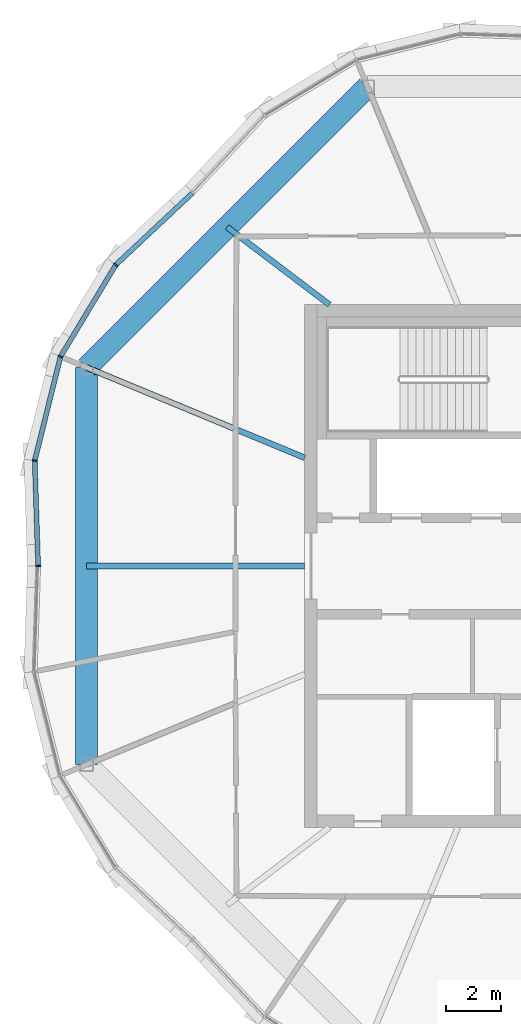
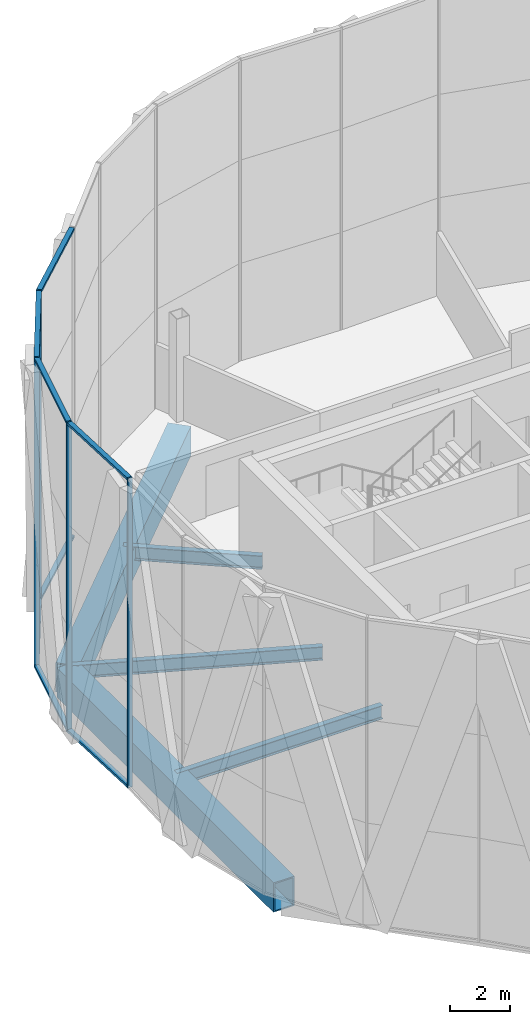
# One storey, part 5 of 23: 12 members, 5 beams, 1 element without a shape of its own.
"""IFC4 building model written with IfcOpenShell, lengths in metres."""

from ifc_helpers import new_model, si_unit, direction, frame, origin, origin_2d, place, context, subcontext, project, spatial, rectangle, hollow_rectangle, i_section, extrude, material, material_profile, profile_set, type_object, element, aggregate, save


model = new_model("IFC4")

# Units and contexts
model_context = context("Model", 3, precision=1e-05, world=origin(), true_north=direction((0.0, 1.0)))
body_context = subcontext(model_context, "Body", "Model", "MODEL_VIEW")
ifc_project = project(units=[si_unit("LENGTHUNIT", "METRE"), si_unit("AREAUNIT", "SQUARE_METRE"), si_unit("VOLUMEUNIT", "CUBIC_METRE"), si_unit("PLANEANGLEUNIT", "RADIAN"), si_unit("MASSUNIT", "GRAM", prefix="KILO")], contexts=[model_context])

# Site, building, storey
site_placement = place(None, origin())
site = spatial("IfcSite", under=ifc_project, at=site_placement, CompositionType="ELEMENT")
building_placement = place(site_placement, origin())
building = spatial("IfcBuilding", under=site, at=building_placement, Name="Ogive Gate Towers", CompositionType="ELEMENT")
storey_placement = place(building_placement, frame((0.0, 0.0, 256.199951171875)))
storey = spatial("IfcBuildingStorey", under=building, at=storey_placement, Name="L60", CompositionType="ELEMENT", Elevation=256.199951171875)

# Beams
ifc_material_1 = material(Name="Steel SM460", Category="steel")
ifc_material_profile_1 = material_profile(ifc_material_1, hollow_rectangle(XDim=0.800048828125, YDim=1.199951171875, WallThickness=0.050048828125, at=origin_2d()), Name="BX 1200x800x50")
ifc_profile_set_1 = profile_set([ifc_material_profile_1], Name="Steel SM460")
beam_type_1 = type_object("IfcBeamType", Name="Edge girder BX 1200x800x50", PredefinedType="BEAM", material=ifc_profile_set_1)
beam_1_placement = place(storey_placement, frame((-43.217529296875, 17.42431640625, -0.89990234375), z_axis=(-0.707106781187, -0.707106781187, 0.0), x_axis=(0.707106781187, -0.707106781187, 0.0)))
element("IfcBeam", 1, at=beam_1_placement, inside=storey, type_object=beam_type_1, Name="T1/L60/SBM023", PredefinedType="BEAM", context=body_context, shape_type="SweptSolid", body=[
    extrude(hollow_rectangle(XDim=0.800048828125, YDim=1.199951171875, WallThickness=0.050048828125, at=origin_2d()), origin(), (0.0, 0.0, 1.0), 14.4345703125),
])
beam_2_placement = place(storey_placement, frame((-53.42431640625, 7.217529296875, -0.89990234375), z_axis=(0.0, -1.0, 0.0), x_axis=(1.0, 0.0, 0.0)))
element("IfcBeam", 2, at=beam_2_placement, inside=storey, type_object=beam_type_1, Name="T1/L60/SBM024", PredefinedType="BEAM", context=body_context, shape_type="SweptSolid", body=[
    extrude(hollow_rectangle(XDim=0.800048828125, YDim=1.199951171875, WallThickness=0.050048828125, at=origin_2d()), origin(), (0.0, 0.0, 1.0), 14.43505859375),
])
ifc_material_2 = material(Name="Steel SM355", Category="steel")
ifc_material_profile_2 = material_profile(ifc_material_2, i_section(OverallWidth=0.2099609375, OverallDepth=0.550048828125, WebThickness=0.010986328125, FlangeThickness=0.01708984375, FilletRadius=0.02392578125, at=origin_2d()), Name="IPE 550")
ifc_profile_set_2 = profile_set([ifc_material_profile_2], Name="Steel SM355")
beam_type_2 = type_object("IfcBeamType", Name="Radial floor beam IPE 550", PredefinedType="BEAM", material=ifc_profile_set_2)
beam_3_placement = place(storey_placement, frame((-44.60009765625, 9.5, -0.574951171875), z_axis=(-0.796877025219, 0.604141545235, 0.0), x_axis=(-0.604141545235, -0.796877025219, 0.0)))
element("IfcBeam", 3, at=beam_3_placement, inside=storey, type_object=beam_type_2, Name="T1/L60/SBM014", PredefinedType="BEAM", context=body_context, shape_type="SweptSolid", body=[
    extrude(i_section(OverallWidth=0.2099609375, OverallDepth=0.550048828125, WebThickness=0.010986328125, FlangeThickness=0.01708984375, FilletRadius=0.02392578125, at=origin_2d()), origin(), (0.0, 0.0, 1.0), 4.669189453125),
])
beam_4_placement = place(storey_placement, frame((-45.5, 3.93505859375, -0.574951171875), z_axis=(-0.923874941579, 0.382694515667, 0.0), x_axis=(-0.382694515667, -0.923874941579, 0.0)))
element("IfcBeam", 4, at=beam_4_placement, inside=storey, type_object=beam_type_2, Name="T1/L60/SBM015", PredefinedType="BEAM", context=body_context, shape_type="SweptSolid", body=[
    extrude(i_section(OverallWidth=0.2099609375, OverallDepth=0.550048828125, WebThickness=0.010986328125, FlangeThickness=0.01708984375, FilletRadius=0.02392578125, at=origin_2d()), origin(), (0.0, 0.0, 1.0), 8.5771484375),
])
beam_5_placement = place(storey_placement, frame((-45.5, 0.0, -0.574951171875), z_axis=(-1.0, 0.0, 0.0), x_axis=(0.0, -1.0, 0.0)))
element("IfcBeam", 5, at=beam_5_placement, inside=storey, type_object=beam_type_2, Name="T1/L60/SBM016", PredefinedType="BEAM", context=body_context, shape_type="SweptSolid", body=[
    extrude(i_section(OverallWidth=0.2099609375, OverallDepth=0.550048828125, WebThickness=0.010986328125, FlangeThickness=0.01708984375, FilletRadius=0.02392578125, at=origin_2d()), origin(), (0.0, 0.0, 1.0), 7.92431640625),
])

# Curtain wall, members
ifc_material_3 = material(Name="Pale metal aluminium", Category="aluminium")
curtain_wall_type = type_object("IfcCurtainWallType", Name="Tower unitised wall, high zone", PredefinedType="NOTDEFINED", material=ifc_material_3)
curtain_wall_placement = place(storey_placement, origin())
curtain_wall = element("IfcCurtainWall", 6, at=curtain_wall_placement, inside=storey, type_object=curtain_wall_type, Name="CW2 T1 ECW04", PredefinedType="NOTDEFINED")
ifc_material_profile_3 = material_profile(ifc_material_3, rectangle(XDim=0.179931640625, YDim=0.06005859375, at=origin_2d()), Name="60 x 180 aluminium box")
ifc_profile_set_3 = profile_set([ifc_material_profile_3], Name="Pale metal aluminium")
member_type_1 = type_object("IfcMemberType", Name="Tower unitised wall, high zone mullion 60 x 180", PredefinedType="MULLION", material=ifc_profile_set_3)
member_1_placement = place(storey_placement, frame((-52.367431640625, 10.9462890625, -0.300048828125), z_axis=(0.0, 0.0, 1.0), x_axis=(-0.777574146191, 0.628791258825, 0.0)))
member_1 = element("IfcMember", 7, at=member_1_placement, type_object=member_type_1, Name="CW2 mullion", PredefinedType="MULLION", context=body_context, shape_type="SweptSolid", body=[
    extrude(rectangle(XDim=0.179931640625, YDim=0.06005859375, at=origin_2d()), origin(), (0.0, 0.0, 1.0), 12.60009765625),
])
member_2_placement = place(storey_placement, frame((-54.376953125, 7.612060546875, -0.300048828125), z_axis=(0.0, 0.0, 1.0), x_axis=(-0.923879532511, 0.382683432365, 0.0)))
member_2 = element("IfcMember", 8, at=member_2_placement, type_object=member_type_1, Name="CW2 mullion", PredefinedType="MULLION", context=body_context, shape_type="SweptSolid", body=[
    extrude(rectangle(XDim=0.179931640625, YDim=0.06005859375, at=origin_2d()), origin(), (0.0, 0.0, 1.0), 12.60009765625),
])
member_3_placement = place(storey_placement, frame((-55.31396484375, 3.833251953125, -0.300048828125), z_axis=(0.0, 0.0, 1.0), x_axis=(-0.994450514713, 0.105205388581, 0.0)))
member_3 = element("IfcMember", 9, at=member_3_placement, type_object=member_type_1, Name="CW2 mullion", PredefinedType="MULLION", context=body_context, shape_type="SweptSolid", body=[
    extrude(rectangle(XDim=0.179931640625, YDim=0.06005859375, at=origin_2d()), origin(), (0.0, 0.0, 1.0), 12.60009765625),
])
member_4_placement = place(storey_placement, frame((-55.190185546875, 0.000244140625, -0.300048828125), z_axis=(0.0, 0.0, 1.0), x_axis=(-0.999479895007, -0.032248092615, 0.0)))
member_4 = element("IfcMember", 10, at=member_4_placement, type_object=member_type_1, Name="CW2 mullion", PredefinedType="MULLION", context=body_context, shape_type="SweptSolid", body=[
    extrude(rectangle(XDim=0.179931640625, YDim=0.06005859375, at=origin_2d()), origin(), (0.0, 0.0, 1.0), 12.60009765625),
])
ifc_material_profile_4 = material_profile(ifc_material_3, rectangle(XDim=0.179931640625, YDim=0.10009765625, at=origin_2d()), Name="100 x 180 aluminium box")
ifc_profile_set_4 = profile_set([ifc_material_profile_4], Name="Pale metal aluminium")
member_type_2 = type_object("IfcMemberType", Name="Tower unitised wall, high zone transom 100 x 180", PredefinedType="USERDEFINED", material=ifc_profile_set_4)
member_5_placement = place(storey_placement, frame((-49.591552734375, 13.548583984375, 12.25), z_axis=(-0.729559380509, -0.683917473319, 0.0), x_axis=(0.683917473319, -0.729559380509, 0.0)))
member_5 = element("IfcMember", 11, at=member_5_placement, type_object=member_type_2, Name="CW2 transom", ObjectType="TRANSOM", PredefinedType="USERDEFINED", context=body_context, shape_type="SweptSolid", body=[
    extrude(rectangle(XDim=0.179931640625, YDim=0.10009765625, at=origin_2d()), origin(), (0.0, 0.0, 1.0), 3.7763671875),
])
member_6_placement = place(storey_placement, frame((-49.591552734375, 13.548583984375, -0.25), z_axis=(-0.729559380509, -0.683917473319, 0.0), x_axis=(0.683917473319, -0.729559380509, 0.0)))
member_6 = element("IfcMember", 12, at=member_6_placement, type_object=member_type_2, Name="CW2 transom", ObjectType="TRANSOM", PredefinedType="USERDEFINED", context=body_context, shape_type="SweptSolid", body=[
    extrude(rectangle(XDim=0.179931640625, YDim=0.10009765625, at=origin_2d()), origin(), (0.0, 0.0, 1.0), 3.7763671875),
])
member_7_placement = place(storey_placement, frame((-52.382080078125, 10.921875, 12.25), z_axis=(-0.516188713906, -0.856474875076, 0.0), x_axis=(0.856474875076, -0.516188713906, 0.0)))
member_7 = element("IfcMember", 13, at=member_7_placement, type_object=member_type_2, Name="CW2 transom", ObjectType="TRANSOM", PredefinedType="USERDEFINED", context=body_context, shape_type="SweptSolid", body=[
    extrude(rectangle(XDim=0.179931640625, YDim=0.10009765625, at=origin_2d()), origin(), (0.0, 0.0, 1.0), 3.836181640625),
])
member_8_placement = place(storey_placement, frame((-52.382080078125, 10.921875, -0.25), z_axis=(-0.516188713906, -0.856474875076, 0.0), x_axis=(0.856474875076, -0.516188713906, 0.0)))
member_8 = element("IfcMember", 14, at=member_8_placement, type_object=member_type_2, Name="CW2 transom", ObjectType="TRANSOM", PredefinedType="USERDEFINED", context=body_context, shape_type="SweptSolid", body=[
    extrude(rectangle(XDim=0.179931640625, YDim=0.10009765625, at=origin_2d()), origin(), (0.0, 0.0, 1.0), 3.836181640625),
])
member_9_placement = place(storey_placement, frame((-54.3837890625, 7.584228515625, 12.25), z_axis=(-0.240648228376, -0.97061239956, 0.0), x_axis=(0.97061239956, -0.240648228376, 0.0)))
member_9 = element("IfcMember", 15, at=member_9_placement, type_object=member_type_2, Name="CW2 transom", ObjectType="TRANSOM", PredefinedType="USERDEFINED", context=body_context, shape_type="SweptSolid", body=[
    extrude(rectangle(XDim=0.179931640625, YDim=0.10009765625, at=origin_2d()), origin(), (0.0, 0.0, 1.0), 3.8359375),
])
member_10_placement = place(storey_placement, frame((-54.3837890625, 7.584228515625, -0.25), z_axis=(-0.240648228376, -0.97061239956, 0.0), x_axis=(0.97061239956, -0.240648228376, 0.0)))
member_10 = element("IfcMember", 16, at=member_10_placement, type_object=member_type_2, Name="CW2 transom", ObjectType="TRANSOM", PredefinedType="USERDEFINED", context=body_context, shape_type="SweptSolid", body=[
    extrude(rectangle(XDim=0.179931640625, YDim=0.10009765625, at=origin_2d()), origin(), (0.0, 0.0, 1.0), 3.8359375),
])
member_11_placement = place(storey_placement, frame((-55.312744140625, 3.8046875, 12.25), z_axis=(0.032195461365, -0.99948159176, 0.0), x_axis=(0.99948159176, 0.032195461365, 0.0)))
member_11 = element("IfcMember", 17, at=member_11_placement, type_object=member_type_2, Name="CW2 transom", ObjectType="TRANSOM", PredefinedType="USERDEFINED", context=body_context, shape_type="SweptSolid", body=[
    extrude(rectangle(XDim=0.179931640625, YDim=0.10009765625, at=origin_2d()), origin(), (0.0, 0.0, 1.0), 3.7763671875),
])
member_12_placement = place(storey_placement, frame((-55.312744140625, 3.8046875, -0.25), z_axis=(0.032195461365, -0.99948159176, 0.0), x_axis=(0.99948159176, 0.032195461365, 0.0)))
member_12 = element("IfcMember", 18, at=member_12_placement, type_object=member_type_2, Name="CW2 transom", ObjectType="TRANSOM", PredefinedType="USERDEFINED", context=body_context, shape_type="SweptSolid", body=[
    extrude(rectangle(XDim=0.179931640625, YDim=0.10009765625, at=origin_2d()), origin(), (0.0, 0.0, 1.0), 3.7763671875),
])
aggregate(curtain_wall, [member_1, member_5, member_6, member_2, member_7, member_8, member_3, member_9, member_10, member_4, member_11, member_12])

save(model, "model.ifc")
